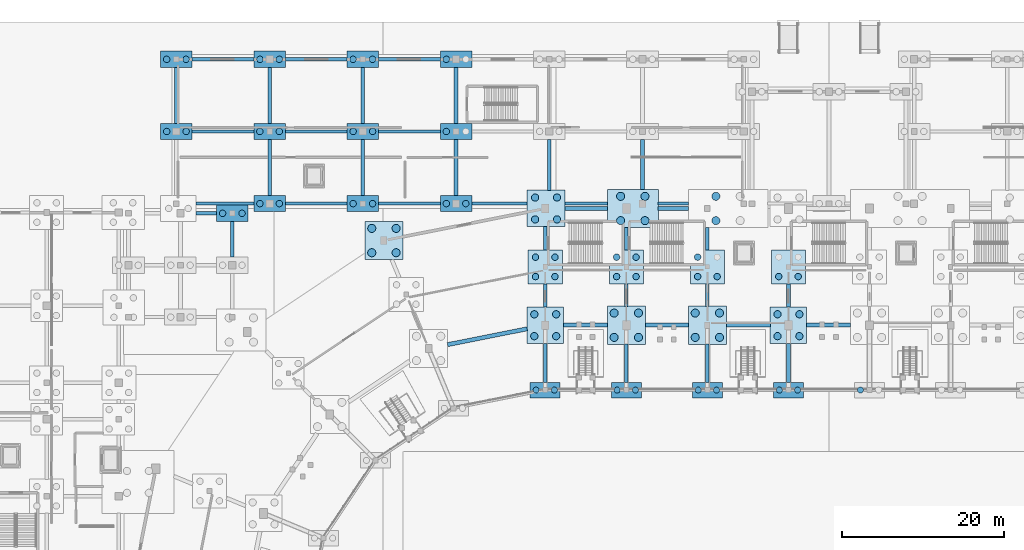
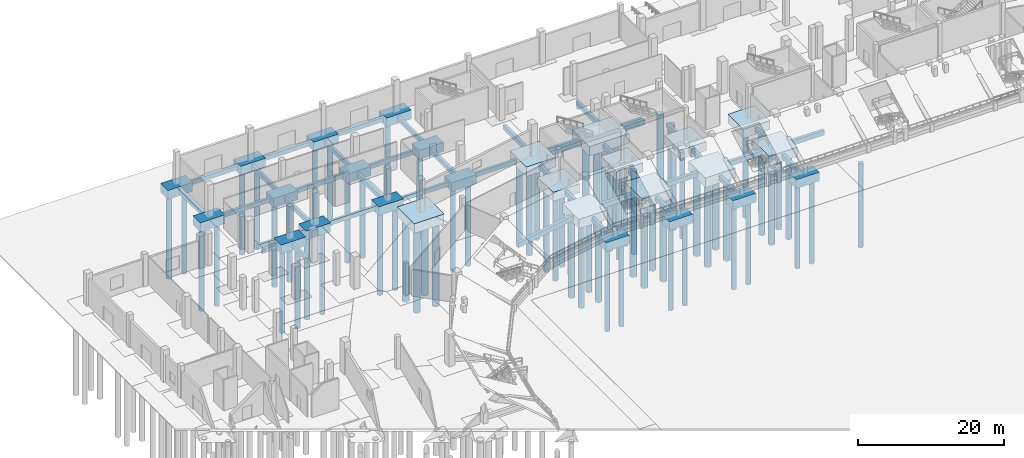
# One storey, part 10 of 68: 74 piles, 68 footings.
"""IFC4 building model written with IfcOpenShell, lengths in metres."""

from ifc_helpers import new_model, si_unit, direction, frame, origin, origin_2d, place, context, subcontext, project, spatial, rectangle, circle, extrude, material, material_profile, profile_set, type_object, element, save


model = new_model("IFC4")

# Units and contexts
model_context = context("Model", 3, precision=1e-05, world=origin(), true_north=direction((0.0, 1.0)))
body_context = subcontext(model_context, "Body", "Model", "MODEL_VIEW")
ifc_project = project(units=[si_unit("LENGTHUNIT", "METRE"), si_unit("AREAUNIT", "SQUARE_METRE"), si_unit("VOLUMEUNIT", "CUBIC_METRE"), si_unit("PLANEANGLEUNIT", "RADIAN"), si_unit("MASSUNIT", "GRAM", prefix="KILO")], contexts=[model_context])

# Site, building, storey
site_placement = place(None, origin())
site = spatial("IfcSite", under=ifc_project, at=site_placement, CompositionType="ELEMENT")
building_placement = place(site_placement, origin())
building = spatial("IfcBuilding", under=site, at=building_placement, Name="Candeia Ridge Stadium", CompositionType="ELEMENT")
storey_placement = place(building_placement, origin())
storey = spatial("IfcBuildingStorey", under=building, at=storey_placement, Name="L00", CompositionType="ELEMENT", Elevation=0.0)

# Piles
ifc_material = material(Name="Concrete C40/50", Category="concrete")
ifc_material_profile_1 = material_profile(ifc_material, circle(Radius=0.5, at=origin_2d()), Name="PILE-D1000", Category="concrete")
ifc_profile_set_1 = profile_set([ifc_material_profile_1], Name="Concrete C40/50")
pile_type_1 = type_object("IfcPileType", Name="Bored Concrete Pile D1000", PredefinedType="BORED", material=ifc_profile_set_1)
for number, where, z_axis, x_axis, name in (
    (1, (89.5, 131.10009765625, -1.39990234375), (0.0, 0.0, -1.0), (1.0, 0.0, 0.0), "Bored concrete foundation pile PILE-0069"),
    (2, (92.5, 131.10009765625, -1.39990234375), (0.0, 0.0, -1.0), (1.0, 0.0, 0.0), "Bored concrete foundation pile PILE-0070"),
    (3, (89.5, 134.10009765625, -1.39990234375), (0.0, 0.0, -1.0), (1.0, 0.0, 0.0), "Bored concrete foundation pile PILE-0071"),
    (4, (92.5, 134.10009765625, -1.39990234375), (0.0, 0.0, -1.0), (1.0, 0.0, 0.0), "Bored concrete foundation pile PILE-0072"),
    (5, (92.050048828125, 145.5, -1.39990234375), (0.0, 0.0, -1.0), (1.0, 0.0, 0.0), "Bored concrete foundation pile PILE-0077"),
    (6, (92.050048828125, 148.5, -1.39990234375), (0.0, 0.0, -1.0), (1.0, 0.0, 0.0), "Bored concrete foundation pile PILE-0079"),
    (7, (79.5, 131.10009765625, -1.39990234375), (0.0, 0.0, -1.0), (1.0, 0.0, 0.0), "Bored concrete foundation pile PILE-0083"),
    (8, (82.5, 131.10009765625, -1.39990234375), (0.0, 0.0, -1.0), (1.0, 0.0, 0.0), "Bored concrete foundation pile PILE-0084"),
    (9, (79.5, 134.10009765625, -1.39990234375), (0.0, 0.0, -1.0), (1.0, 0.0, 0.0), "Bored concrete foundation pile PILE-0085"),
    (10, (82.5, 134.10009765625, -1.39990234375), (0.0, 0.0, -1.0), (1.0, 0.0, 0.0), "Bored concrete foundation pile PILE-0086"),
    (11, (80.300048828125, 145.5, -1.39990234375), (0.0, 0.0, -1.0), (1.0, 0.0, 0.0), "Bored concrete foundation pile PILE-0091"),
    (12, (83.300048828125, 145.5, -1.39990234375), (0.0, 0.0, -1.0), (1.0, 0.0, 0.0), "Bored concrete foundation pile PILE-0092"),
    (13, (80.300048828125, 148.5, -1.39990234375), (0.0, 0.0, -1.0), (1.0, 0.0, 0.0), "Bored concrete foundation pile PILE-0093"),
    (14, (83.300048828125, 148.5, -1.39990234375), (0.0, 0.0, -1.0), (1.0, 0.0, 0.0), "Bored concrete foundation pile PILE-0094"),
    (15, (49.6005859375, 141.541748046875, -1.39990234375), (0.0, 0.0, -1.0), (1.0, 0.0, 0.0), "Bored concrete foundation pile PILE-0119"),
    (16, (52.6005859375, 141.541748046875, -1.39990234375), (0.0, 0.0, -1.0), (1.0, 0.0, 0.0), "Bored concrete foundation pile PILE-0120"),
    (17, (49.6005859375, 144.541748046875, -1.39990234375), (0.0, 0.0, -1.0), (1.0, 0.0, 0.0), "Bored concrete foundation pile PILE-0121"),
    (18, (52.6005859375, 144.541748046875, -1.39990234375), (0.0, 0.0, -1.0), (1.0, 0.0, 0.0), "Bored concrete foundation pile PILE-0122"),
):
    element("IfcPile", number, at=place(storey_placement, frame(where, z_axis=z_axis, x_axis=x_axis)), inside=storey, type_object=pile_type_1, Name=name, PredefinedType="BORED", context=body_context, shape_type="SweptSolid", body=[
        extrude(circle(Radius=0.5, at=origin_2d()), origin(), (0.0, 0.0, 1.0), 14.0),
    ])
ifc_material_profile_2 = material_profile(ifc_material, circle(Radius=0.375, at=origin_2d()), Name="PILE-D750", Category="concrete")
ifc_profile_set_2 = profile_set([ifc_material_profile_2], Name="Concrete C40/50")
pile_type_2 = type_object("IfcPileType", Name="Bored Concrete Pile D750", PredefinedType="BORED", material=ifc_profile_set_2)
for number, where, z_axis, x_axis, name in (
    (19, (109.875, 124.60009765625, -1.39990234375), (0.0, 0.0, -1.0), (1.0, 0.0, 0.0), "Bored concrete foundation pile PILE-0043"),
    (20, (99.875, 124.60009765625, -1.39990234375), (0.0, 0.0, -1.0), (1.0, 0.0, 0.0), "Bored concrete foundation pile PILE-0053"),
    (21, (102.125, 124.60009765625, -1.39990234375), (0.0, 0.0, -1.0), (1.0, 0.0, 0.0), "Bored concrete foundation pile PILE-0054"),
    (22, (89.875, 124.60009765625, -1.39990234375), (0.0, 0.0, -1.0), (1.0, 0.0, 0.0), "Bored concrete foundation pile PILE-0067"),
    (23, (92.125, 124.60009765625, -1.39990234375), (0.0, 0.0, -1.0), (1.0, 0.0, 0.0), "Bored concrete foundation pile PILE-0068"),
    (24, (79.875, 124.60009765625, -1.39990234375), (0.0, 0.0, -1.0), (1.0, 0.0, 0.0), "Bored concrete foundation pile PILE-0081"),
    (25, (82.125, 124.60009765625, -1.39990234375), (0.0, 0.0, -1.0), (1.0, 0.0, 0.0), "Bored concrete foundation pile PILE-0082"),
    (26, (69.875, 124.60009765625, -1.39990234375), (0.0, 0.0, -1.0), (1.0, 0.0, 0.0), "Bored concrete foundation pile PILE-0095"),
    (27, (72.125, 124.60009765625, -1.39990234375), (0.0, 0.0, -1.0), (1.0, 0.0, 0.0), "Bored concrete foundation pile PILE-0096"),
):
    element("IfcPile", number, at=place(storey_placement, frame(where, z_axis=z_axis, x_axis=x_axis)), inside=storey, type_object=pile_type_2, Name=name, PredefinedType="BORED", context=body_context, shape_type="SweptSolid", body=[
        extrude(circle(Radius=0.375, at=origin_2d()), origin(), (0.0, 0.0, 1.0), 14.0),
    ])
ifc_material_profile_3 = material_profile(ifc_material, circle(Radius=0.39990234375, at=origin_2d()), Name="PILE-D800", Category="concrete")
ifc_profile_set_3 = profile_set([ifc_material_profile_3], Name="Concrete C40/50")
pile_type_3 = type_object("IfcPileType", Name="Bored Concrete Pile D800", PredefinedType="BORED", material=ifc_profile_set_3)
for number, where, z_axis, x_axis, name in (
    (28, (99.800048828125, 138.60009765625, -1.39990234375), (0.0, 0.0, -1.0), (1.0, 0.0, 0.0), "Bored concrete foundation pile PILE-0059"),
    (29, (102.199951171875, 138.60009765625, -1.39990234375), (0.0, 0.0, -1.0), (1.0, 0.0, 0.0), "Bored concrete foundation pile PILE-0060"),
    (30, (89.800048828125, 138.60009765625, -1.39990234375), (0.0, 0.0, -1.0), (1.0, 0.0, 0.0), "Bored concrete foundation pile PILE-0073"),
    (31, (92.199951171875, 138.60009765625, -1.39990234375), (0.0, 0.0, -1.0), (1.0, 0.0, 0.0), "Bored concrete foundation pile PILE-0074"),
    (32, (89.800048828125, 141.0, -1.39990234375), (0.0, 0.0, -1.0), (1.0, 0.0, 0.0), "Bored concrete foundation pile PILE-0075"),
    (33, (79.800048828125, 138.60009765625, -1.39990234375), (0.0, 0.0, -1.0), (1.0, 0.0, 0.0), "Bored concrete foundation pile PILE-0087"),
    (34, (82.199951171875, 138.60009765625, -1.39990234375), (0.0, 0.0, -1.0), (1.0, 0.0, 0.0), "Bored concrete foundation pile PILE-0088"),
    (35, (79.800048828125, 141.0, -1.39990234375), (0.0, 0.0, -1.0), (1.0, 0.0, 0.0), "Bored concrete foundation pile PILE-0089"),
    (36, (82.199951171875, 141.0, -1.39990234375), (0.0, 0.0, -1.0), (1.0, 0.0, 0.0), "Bored concrete foundation pile PILE-0090"),
    (37, (69.800048828125, 138.60009765625, -1.39990234375), (0.0, 0.0, -1.0), (1.0, 0.0, 0.0), "Bored concrete foundation pile PILE-0101"),
    (38, (72.199951171875, 138.60009765625, -1.39990234375), (0.0, 0.0, -1.0), (1.0, 0.0, 0.0), "Bored concrete foundation pile PILE-0102"),
    (39, (69.800048828125, 141.0, -1.39990234375), (0.0, 0.0, -1.0), (1.0, 0.0, 0.0), "Bored concrete foundation pile PILE-0103"),
    (40, (72.199951171875, 141.0, -1.39990234375), (0.0, 0.0, -1.0), (1.0, 0.0, 0.0), "Bored concrete foundation pile PILE-0104"),
    (41, (24.300048828125, 156.5, -1.39990234375), (0.0, 0.0, -1.0), (1.0, 0.0, 0.0), "Bored concrete foundation pile PILE-0811"),
    (42, (26.699951171875, 156.5, -1.39990234375), (0.0, 0.0, -1.0), (1.0, 0.0, 0.0), "Bored concrete foundation pile PILE-0812"),
    (43, (24.300048828125, 165.39990234375, -1.39990234375), (0.0, 0.0, -1.0), (1.0, 0.0, 0.0), "Bored concrete foundation pile PILE-0813"),
    (44, (26.699951171875, 165.39990234375, -1.39990234375), (0.0, 0.0, -1.0), (1.0, 0.0, 0.0), "Bored concrete foundation pile PILE-0814"),
    (45, (35.800048828125, 147.60009765625, -1.39990234375), (0.0, 0.0, -1.0), (1.0, 0.0, 0.0), "Bored concrete foundation pile PILE-0815"),
    (46, (38.199951171875, 147.60009765625, -1.39990234375), (0.0, 0.0, -1.0), (1.0, 0.0, 0.0), "Bored concrete foundation pile PILE-0816"),
    (47, (35.800048828125, 156.5, -1.39990234375), (0.0, 0.0, -1.0), (1.0, 0.0, 0.0), "Bored concrete foundation pile PILE-0817"),
    (48, (38.199951171875, 156.5, -1.39990234375), (0.0, 0.0, -1.0), (1.0, 0.0, 0.0), "Bored concrete foundation pile PILE-0818"),
    (49, (35.800048828125, 165.39990234375, -1.39990234375), (0.0, 0.0, -1.0), (1.0, 0.0, 0.0), "Bored concrete foundation pile PILE-0819"),
    (50, (38.199951171875, 165.39990234375, -1.39990234375), (0.0, 0.0, -1.0), (1.0, 0.0, 0.0), "Bored concrete foundation pile PILE-0820"),
    (51, (47.300048828125, 147.60009765625, -1.39990234375), (0.0, 0.0, -1.0), (1.0, 0.0, 0.0), "Bored concrete foundation pile PILE-0821"),
    (52, (49.699951171875, 147.60009765625, -1.39990234375), (0.0, 0.0, -1.0), (1.0, 0.0, 0.0), "Bored concrete foundation pile PILE-0822"),
    (53, (47.300048828125, 156.5, -1.39990234375), (0.0, 0.0, -1.0), (1.0, 0.0, 0.0), "Bored concrete foundation pile PILE-0823"),
    (54, (49.699951171875, 156.5, -1.39990234375), (0.0, 0.0, -1.0), (1.0, 0.0, 0.0), "Bored concrete foundation pile PILE-0824"),
    (55, (47.300048828125, 165.39990234375, -1.39990234375), (0.0, 0.0, -1.0), (1.0, 0.0, 0.0), "Bored concrete foundation pile PILE-0825"),
    (56, (49.699951171875, 165.39990234375, -1.39990234375), (0.0, 0.0, -1.0), (1.0, 0.0, 0.0), "Bored concrete foundation pile PILE-0826"),
    (57, (58.800048828125, 147.60009765625, -1.39990234375), (0.0, 0.0, -1.0), (1.0, 0.0, 0.0), "Bored concrete foundation pile PILE-0827"),
    (58, (61.199951171875, 147.60009765625, -1.39990234375), (0.0, 0.0, -1.0), (1.0, 0.0, 0.0), "Bored concrete foundation pile PILE-0828"),
    (59, (58.800048828125, 156.5, -1.39990234375), (0.0, 0.0, -1.0), (1.0, 0.0, 0.0), "Bored concrete foundation pile PILE-0829"),
    (60, (58.800048828125, 165.39990234375, -1.39990234375), (0.0, 0.0, -1.0), (1.0, 0.0, 0.0), "Bored concrete foundation pile PILE-0831"),
    (61, (31.199951171875, 146.39990234375, -1.39990234375), (0.0, 0.0, -1.0), (1.0, 0.0, 0.0), "Bored concrete foundation pile PILE-0897"),
    (62, (33.60009765625, 146.39990234375, -1.39990234375), (0.0, 0.0, -1.0), (1.0, 0.0, 0.0), "Bored concrete foundation pile PILE-0898"),
):
    element("IfcPile", number, at=place(storey_placement, frame(where, z_axis=z_axis, x_axis=x_axis)), inside=storey, type_object=pile_type_3, Name=name, PredefinedType="BORED", context=body_context, shape_type="SweptSolid", body=[
        extrude(circle(Radius=0.39990234375, at=origin_2d()), origin(), (0.0, 0.0, 1.0), 14.0),
    ])
ifc_material_profile_4 = material_profile(ifc_material, circle(Radius=0.449951171875, at=origin_2d()), Name="PILE-D900", Category="concrete")
ifc_profile_set_4 = profile_set([ifc_material_profile_4], Name="Concrete C40/50")
pile_type_4 = type_object("IfcPileType", Name="Bored Concrete Pile D900", PredefinedType="BORED", material=ifc_profile_set_4)
for number, where, z_axis, x_axis, name in (
    (63, (99.64990234375, 131.25, -1.39990234375), (0.0, 0.0, -1.0), (1.0, 0.0, 0.0), "Bored concrete foundation pile PILE-0055"),
    (64, (102.35009765625, 131.25, -1.39990234375), (0.0, 0.0, -1.0), (1.0, 0.0, 0.0), "Bored concrete foundation pile PILE-0056"),
    (65, (99.64990234375, 133.949951171875, -1.39990234375), (0.0, 0.0, -1.0), (1.0, 0.0, 0.0), "Bored concrete foundation pile PILE-0057"),
    (66, (102.35009765625, 133.949951171875, -1.39990234375), (0.0, 0.0, -1.0), (1.0, 0.0, 0.0), "Bored concrete foundation pile PILE-0058"),
    (67, (69.64990234375, 131.25, -1.39990234375), (0.0, 0.0, -1.0), (1.0, 0.0, 0.0), "Bored concrete foundation pile PILE-0097"),
    (68, (72.35009765625, 131.25, -1.39990234375), (0.0, 0.0, -1.0), (1.0, 0.0, 0.0), "Bored concrete foundation pile PILE-0098"),
    (69, (69.64990234375, 133.949951171875, -1.39990234375), (0.0, 0.0, -1.0), (1.0, 0.0, 0.0), "Bored concrete foundation pile PILE-0099"),
    (70, (72.35009765625, 133.949951171875, -1.39990234375), (0.0, 0.0, -1.0), (1.0, 0.0, 0.0), "Bored concrete foundation pile PILE-0100"),
    (71, (69.75, 145.64990234375, -1.39990234375), (0.0, 0.0, -1.0), (1.0, 0.0, 0.0), "Bored concrete foundation pile PILE-0105"),
    (72, (72.449951171875, 145.64990234375, -1.39990234375), (0.0, 0.0, -1.0), (1.0, 0.0, 0.0), "Bored concrete foundation pile PILE-0106"),
    (73, (69.75, 148.35009765625, -1.39990234375), (0.0, 0.0, -1.0), (1.0, 0.0, 0.0), "Bored concrete foundation pile PILE-0107"),
    (74, (72.449951171875, 148.35009765625, -1.39990234375), (0.0, 0.0, -1.0), (1.0, 0.0, 0.0), "Bored concrete foundation pile PILE-0108"),
):
    element("IfcPile", number, at=place(storey_placement, frame(where, z_axis=z_axis, x_axis=x_axis)), inside=storey, type_object=pile_type_4, Name=name, PredefinedType="BORED", context=body_context, shape_type="SweptSolid", body=[
        extrude(circle(Radius=0.449951171875, at=origin_2d()), origin(), (0.0, 0.0, 1.0), 14.0),
    ])

# Footings
footing_type_1 = type_object("IfcFootingType", Name="Ground Tie Beam 400x700", PredefinedType="FOOTING_BEAM", material=ifc_material)
footing_1_placement = place(storey_placement, frame((31.5, 147.60009765625, -1.0498046875), z_axis=(0.0, 0.0, 1.0), x_axis=(1.0, 0.0, 0.0)))
element("IfcFooting", 75, at=footing_1_placement, inside=storey, type_object=footing_type_1, Name="Ground tie beam GTB-0367", PredefinedType="FOOTING_BEAM", context=body_context, shape_type="SweptSolid", body=[
    extrude(rectangle(XDim=7.1201171875, YDim=0.39990234375, at=origin_2d()), origin(), (0.0, 0.0, 1.0), 0.699951171875),
])
for number, where, z_axis, x_axis, name in (
    (76, (31.25, 156.5, -1.0498046875), (0.0, 0.0, 1.0), (1.0, 0.0, 0.0), "Ground tie beam GTB-0369"),
    (77, (31.25, 165.39990234375, -1.0498046875), (0.0, 0.0, 1.0), (1.0, 0.0, 0.0), "Ground tie beam GTB-0370"),
    (78, (42.75, 147.60009765625, -1.0498046875), (0.0, 0.0, 1.0), (1.0, 0.0, 0.0), "Ground tie beam GTB-0372"),
    (79, (42.75, 156.5, -1.0498046875), (0.0, 0.0, 1.0), (1.0, 0.0, 0.0), "Ground tie beam GTB-0374"),
    (80, (42.75, 165.39990234375, -1.0498046875), (0.0, 0.0, 1.0), (1.0, 0.0, 0.0), "Ground tie beam GTB-0375"),
    (81, (54.25, 147.60009765625, -1.0498046875), (0.0, 0.0, 1.0), (1.0, 0.0, 0.0), "Ground tie beam GTB-0377"),
    (82, (54.25, 156.5, -1.0498046875), (0.0, 0.0, 1.0), (1.0, 0.0, 0.0), "Ground tie beam GTB-0379"),
    (83, (54.25, 165.39990234375, -1.0498046875), (0.0, 0.0, 1.0), (1.0, 0.0, 0.0), "Ground tie beam GTB-0380"),
):
    element("IfcFooting", number, at=place(storey_placement, frame(where, z_axis=z_axis, x_axis=x_axis)), inside=storey, type_object=footing_type_1, Name=name, PredefinedType="FOOTING_BEAM", context=body_context, shape_type="SweptSolid", body=[
        extrude(rectangle(XDim=7.6201171875, YDim=0.39990234375, at=origin_2d()), origin(), (0.0, 0.0, 1.0), 0.699951171875),
    ])
footing_2_placement = place(storey_placement, frame((65.35009765625, 147.60009765625, -1.0498046875), z_axis=(0.0, 0.0, 1.0), x_axis=(1.0, 0.0, 0.0)))
element("IfcFooting", 84, at=footing_2_placement, inside=storey, type_object=footing_type_1, Name="Ground tie beam GTB-0382", PredefinedType="FOOTING_BEAM", context=body_context, shape_type="SweptSolid", body=[
    extrude(rectangle(XDim=6.820068359375, YDim=0.39990234375, at=origin_2d()), origin(), (0.0, 0.0, 1.0), 0.699951171875),
])
footing_3_placement = place(storey_placement, frame((76.050048828125, 147.60009765625, -1.0498046875), z_axis=(0.0, 0.0, 1.0), x_axis=(1.0, 0.0, 0.0)))
element("IfcFooting", 85, at=footing_3_placement, inside=storey, type_object=footing_type_1, Name="Ground tie beam GTB-0387", PredefinedType="FOOTING_BEAM", context=body_context, shape_type="SweptSolid", body=[
    extrude(rectangle(XDim=5.219970703125, YDim=0.39990234375, at=origin_2d()), origin(), (0.0, 0.0, 1.0), 0.699951171875),
])
footing_4_placement = place(storey_placement, frame((86.800048828125, 147.60009765625, -1.0498046875), z_axis=(0.0, 0.0, 1.0), x_axis=(1.0, 0.0, 0.0)))
element("IfcFooting", 86, at=footing_4_placement, inside=storey, type_object=footing_type_1, Name="Ground tie beam GTB-0392", PredefinedType="FOOTING_BEAM", context=body_context, shape_type="SweptSolid", body=[
    extrude(rectangle(XDim=3.719970703125, YDim=0.39990234375, at=origin_2d()), origin(), (0.0, 0.0, 1.0), 0.699951171875),
])
footing_5_placement = place(storey_placement, frame((29.199951171875, 146.39990234375, -1.0498046875), z_axis=(0.0, 0.0, 1.0), x_axis=(1.0, 0.0, 0.0)))
element("IfcFooting", 87, at=footing_5_placement, inside=storey, type_object=footing_type_1, Name="Ground tie beam GTB-0446", PredefinedType="FOOTING_BEAM", context=body_context, shape_type="SweptSolid", body=[
    extrude(rectangle(XDim=2.52001953125, YDim=0.39990234375, at=origin_2d()), origin(), (0.0, 0.0, 1.0), 0.699951171875),
])
footing_type_2 = type_object("IfcFootingType", Name="Ground Tie Beam 450x750", PredefinedType="FOOTING_BEAM", material=ifc_material)
footing_6_placement = place(storey_placement, frame((101.0, 127.949951171875, -1.074951171875), z_axis=(0.0, 0.0, 1.0), x_axis=(0.0, 1.0, 0.0)))
element("IfcFooting", 88, at=footing_6_placement, inside=storey, type_object=footing_type_2, Name="Ground tie beam GTB-0021", PredefinedType="FOOTING_BEAM", context=body_context, shape_type="SweptSolid", body=[
    extrude(rectangle(XDim=4.820068359375, YDim=0.449951171875, at=origin_2d()), origin(), (0.0, 0.0, 1.0), 0.75),
])
footing_7_placement = place(storey_placement, frame((101.0, 136.27490234375, -1.074951171875), z_axis=(0.0, 0.0, 1.0), x_axis=(0.0, 1.0, 0.0)))
element("IfcFooting", 89, at=footing_7_placement, inside=storey, type_object=footing_type_2, Name="Ground tie beam GTB-0022", PredefinedType="FOOTING_BEAM", context=body_context, shape_type="SweptSolid", body=[
    extrude(rectangle(XDim=2.8701171875, YDim=0.449951171875, at=origin_2d()), origin(), (0.0, 0.0, 1.0), 0.75),
])
footing_8_placement = place(storey_placement, frame((91.0, 127.89990234375, -1.074951171875), z_axis=(0.0, 0.0, 1.0), x_axis=(0.0, 1.0, 0.0)))
element("IfcFooting", 90, at=footing_8_placement, inside=storey, type_object=footing_type_2, Name="Ground tie beam GTB-0026", PredefinedType="FOOTING_BEAM", context=body_context, shape_type="SweptSolid", body=[
    extrude(rectangle(XDim=4.719970703125, YDim=0.449951171875, at=origin_2d()), origin(), (0.0, 0.0, 1.0), 0.75),
])
for number, where, z_axis, x_axis, name in (
    (91, (91.0, 136.324951171875, -1.074951171875), (0.0, 0.0, 1.0), (0.0, 1.0, 0.0), "Ground tie beam GTB-0027"),
    (92, (91.0, 143.27490234375, -1.074951171875), (0.0, 0.0, 1.0), (0.0, 1.0, 0.0), "Ground tie beam GTB-0028"),
):
    element("IfcFooting", number, at=place(storey_placement, frame(where, z_axis=z_axis, x_axis=x_axis)), inside=storey, type_object=footing_type_2, Name=name, PredefinedType="FOOTING_BEAM", context=body_context, shape_type="SweptSolid", body=[
        extrude(rectangle(XDim=2.77001953125, YDim=0.449951171875, at=origin_2d()), origin(), (0.0, 0.0, 1.0), 0.75),
    ])
footing_9_placement = place(storey_placement, frame((81.0, 127.89990234375, -1.074951171875), z_axis=(0.0, 0.0, 1.0), x_axis=(0.0, 1.0, 0.0)))
element("IfcFooting", 93, at=footing_9_placement, inside=storey, type_object=footing_type_2, Name="Ground tie beam GTB-0031", PredefinedType="FOOTING_BEAM", context=body_context, shape_type="SweptSolid", body=[
    extrude(rectangle(XDim=4.719970703125, YDim=0.449951171875, at=origin_2d()), origin(), (0.0, 0.0, 1.0), 0.75),
])
for number, where, z_axis, x_axis, name in (
    (94, (81.0, 136.324951171875, -1.074951171875), (0.0, 0.0, 1.0), (0.0, 1.0, 0.0), "Ground tie beam GTB-0032"),
    (95, (81.0, 143.27490234375, -1.074951171875), (0.0, 0.0, 1.0), (0.0, 1.0, 0.0), "Ground tie beam GTB-0033"),
):
    element("IfcFooting", number, at=place(storey_placement, frame(where, z_axis=z_axis, x_axis=x_axis)), inside=storey, type_object=footing_type_2, Name=name, PredefinedType="FOOTING_BEAM", context=body_context, shape_type="SweptSolid", body=[
        extrude(rectangle(XDim=2.77001953125, YDim=0.449951171875, at=origin_2d()), origin(), (0.0, 0.0, 1.0), 0.75),
    ])
footing_10_placement = place(storey_placement, frame((71.0, 127.949951171875, -1.074951171875), z_axis=(0.0, 0.0, 1.0), x_axis=(0.0, 1.0, 0.0)))
element("IfcFooting", 96, at=footing_10_placement, inside=storey, type_object=footing_type_2, Name="Ground tie beam GTB-0035", PredefinedType="FOOTING_BEAM", context=body_context, shape_type="SweptSolid", body=[
    extrude(rectangle(XDim=4.820068359375, YDim=0.449951171875, at=origin_2d()), origin(), (0.0, 0.0, 1.0), 0.75),
])
for number, where, z_axis, x_axis, name in (
    (97, (71.0, 136.27490234375, -1.074951171875), (0.0, 0.0, 1.0), (0.0, 1.0, 0.0), "Ground tie beam GTB-0036"),
    (98, (71.0, 143.324951171875, -1.074951171875), (0.0, 0.0, 1.0), (0.0, 1.0, 0.0), "Ground tie beam GTB-0037"),
):
    element("IfcFooting", number, at=place(storey_placement, frame(where, z_axis=z_axis, x_axis=x_axis)), inside=storey, type_object=footing_type_2, Name=name, PredefinedType="FOOTING_BEAM", context=body_context, shape_type="SweptSolid", body=[
        extrude(rectangle(XDim=2.8701171875, YDim=0.449951171875, at=origin_2d()), origin(), (0.0, 0.0, 1.0), 0.75),
    ])
for number, where, z_axis, x_axis, name in (
    (99, (25.5, 160.949951171875, -1.074951171875), (0.0, 0.0, 1.0), (0.0, 1.0, 0.0), "Ground tie beam GTB-0368"),
    (100, (37.0, 152.050048828125, -1.074951171875), (0.0, 0.0, 1.0), (0.0, 1.0, 0.0), "Ground tie beam GTB-0371"),
    (101, (37.0, 160.949951171875, -1.074951171875), (0.0, 0.0, 1.0), (0.0, 1.0, 0.0), "Ground tie beam GTB-0373"),
    (102, (48.5, 152.050048828125, -1.074951171875), (0.0, 0.0, 1.0), (0.0, 1.0, 0.0), "Ground tie beam GTB-0376"),
    (103, (48.5, 160.949951171875, -1.074951171875), (0.0, 0.0, 1.0), (0.0, 1.0, 0.0), "Ground tie beam GTB-0378"),
    (104, (60.0, 152.050048828125, -1.074951171875), (0.0, 0.0, 1.0), (0.0, 1.0, 0.0), "Ground tie beam GTB-0381"),
    (105, (60.0, 160.949951171875, -1.074951171875), (0.0, 0.0, 1.0), (0.0, 1.0, 0.0), "Ground tie beam GTB-0383"),
):
    element("IfcFooting", number, at=place(storey_placement, frame(where, z_axis=z_axis, x_axis=x_axis)), inside=storey, type_object=footing_type_2, Name=name, PredefinedType="FOOTING_BEAM", context=body_context, shape_type="SweptSolid", body=[
        extrude(rectangle(XDim=6.919921875, YDim=0.449951171875, at=origin_2d()), origin(), (0.0, 0.0, 1.0), 0.75),
    ])
footing_11_placement = place(storey_placement, frame((71.5, 152.375, -1.074951171875), z_axis=(0.0, 0.0, 1.0), x_axis=(0.0, 1.0, 0.0)))
element("IfcFooting", 106, at=footing_11_placement, inside=storey, type_object=footing_type_2, Name="Ground tie beam GTB-0386", PredefinedType="FOOTING_BEAM", context=body_context, shape_type="SweptSolid", body=[
    extrude(rectangle(XDim=6.27001953125, YDim=0.449951171875, at=origin_2d()), origin(), (0.0, 0.0, 1.0), 0.75),
])
footing_12_placement = place(storey_placement, frame((83.0, 152.425048828125, -1.074951171875), z_axis=(0.0, 0.0, 1.0), x_axis=(0.0, 1.0, 0.0)))
element("IfcFooting", 107, at=footing_12_placement, inside=storey, type_object=footing_type_2, Name="Ground tie beam GTB-0391", PredefinedType="FOOTING_BEAM", context=body_context, shape_type="SweptSolid", body=[
    extrude(rectangle(XDim=6.169921875, YDim=0.449951171875, at=origin_2d()), origin(), (0.0, 0.0, 1.0), 0.75),
])
footing_13_placement = place(storey_placement, frame((32.39990234375, 143.199951171875, -1.074951171875), z_axis=(0.0, 0.0, 1.0), x_axis=(0.0, 1.0, 0.0)))
element("IfcFooting", 108, at=footing_13_placement, inside=storey, type_object=footing_type_2, Name="Ground tie beam GTB-0448", PredefinedType="FOOTING_BEAM", context=body_context, shape_type="SweptSolid", body=[
    extrude(rectangle(XDim=4.419921875, YDim=0.449951171875, at=origin_2d()), origin(), (0.0, 0.0, 1.0), 0.75),
])
footing_type_3 = type_object("IfcFootingType", Name="Ground Tie Beam 500x800", PredefinedType="FOOTING_BEAM", material=ifc_material)
for number, where, z_axis, x_axis, name in (
    (109, (105.949951171875, 132.60009765625, -1.10009765625), (0.0, 0.0, 1.0), (-1.0, 0.0, 0.0), "Ground tie beam GTB-0015"),
    (110, (96.050048828125, 132.60009765625, -1.10009765625), (0.0, 0.0, 1.0), (-1.0, 0.0, 0.0), "Ground tie beam GTB-0020"),
):
    element("IfcFooting", number, at=place(storey_placement, frame(where, z_axis=z_axis, x_axis=x_axis)), inside=storey, type_object=footing_type_3, Name=name, PredefinedType="FOOTING_BEAM", context=body_context, shape_type="SweptSolid", body=[
        extrude(rectangle(XDim=5.419921875, YDim=0.5, at=origin_2d()), origin(), (0.0, 0.0, 1.0), 0.800048828125),
    ])
footing_14_placement = place(storey_placement, frame((86.0, 132.60009765625, -1.10009765625), z_axis=(0.0, 0.0, 1.0), x_axis=(-1.0, 0.0, 0.0)))
element("IfcFooting", 111, at=footing_14_placement, inside=storey, type_object=footing_type_3, Name="Ground tie beam GTB-0024", PredefinedType="FOOTING_BEAM", context=body_context, shape_type="SweptSolid", body=[
    extrude(rectangle(XDim=5.320068359375, YDim=0.5, at=origin_2d()), origin(), (0.0, 0.0, 1.0), 0.800048828125),
])
footing_15_placement = place(storey_placement, frame((86.800048828125, 147.0, -1.10009765625), z_axis=(0.0, 0.0, 1.0), x_axis=(-1.0, 0.0, 0.0)))
element("IfcFooting", 112, at=footing_15_placement, inside=storey, type_object=footing_type_3, Name="Ground tie beam GTB-0025", PredefinedType="FOOTING_BEAM", context=body_context, shape_type="SweptSolid", body=[
    extrude(rectangle(XDim=3.719970703125, YDim=0.5, at=origin_2d()), origin(), (0.0, 0.0, 1.0), 0.800048828125),
])
footing_16_placement = place(storey_placement, frame((75.949951171875, 132.60009765625, -1.10009765625), z_axis=(0.0, 0.0, 1.0), x_axis=(-1.0, 0.0, 0.0)))
element("IfcFooting", 113, at=footing_16_placement, inside=storey, type_object=footing_type_3, Name="Ground tie beam GTB-0029", PredefinedType="FOOTING_BEAM", context=body_context, shape_type="SweptSolid", body=[
    extrude(rectangle(XDim=5.419921875, YDim=0.5, at=origin_2d()), origin(), (0.0, 0.0, 1.0), 0.800048828125),
])
footing_17_placement = place(storey_placement, frame((76.050048828125, 147.0, -1.10009765625), z_axis=(0.0, 0.0, 1.0), x_axis=(-1.0, 0.0, 0.0)))
element("IfcFooting", 114, at=footing_17_placement, inside=storey, type_object=footing_type_3, Name="Ground tie beam GTB-0030", PredefinedType="FOOTING_BEAM", context=body_context, shape_type="SweptSolid", body=[
    extrude(rectangle(XDim=5.219970703125, YDim=0.5, at=origin_2d()), origin(), (0.0, 0.0, 1.0), 0.800048828125),
])
footing_18_placement = place(storey_placement, frame((63.85546875, 131.178955078125, -1.10009765625), z_axis=(0.0, 0.0, 1.0), x_axis=(-0.980785891798, -0.195087248302, 0.0)))
element("IfcFooting", 115, at=footing_18_placement, inside=storey, type_object=footing_type_3, Name="Ground tie beam GTB-0034", PredefinedType="FOOTING_BEAM", context=body_context, shape_type="SweptSolid", body=[
    extrude(rectangle(XDim=10.000732421875, YDim=0.5, at=origin_2d()), origin(), (0.0, 0.0, 1.0), 0.800048828125),
])
footing_type_4 = type_object("IfcFootingType", Name="Pile Cap 3700x1900x1450", PredefinedType="PILE_CAP", material=ifc_material)
for number, where, z_axis, x_axis, name in (
    (116, (101.0, 124.60009765625, -1.4501953125), (0.0, 0.0, 1.0), (1.0, 0.0, 0.0), "Reinforced concrete pile cap CAP-016"),
    (117, (91.0, 124.60009765625, -1.4501953125), (0.0, 0.0, 1.0), (1.0, 0.0, 0.0), "Reinforced concrete pile cap CAP-020"),
    (118, (81.0, 124.60009765625, -1.4501953125), (0.0, 0.0, 1.0), (1.0, 0.0, 0.0), "Reinforced concrete pile cap CAP-024"),
    (119, (71.0, 124.60009765625, -1.4501953125), (0.0, 0.0, 1.0), (1.0, 0.0, 0.0), "Reinforced concrete pile cap CAP-028"),
):
    element("IfcFooting", number, at=place(storey_placement, frame(where, z_axis=z_axis, x_axis=x_axis)), inside=storey, type_object=footing_type_4, Name=name, PredefinedType="PILE_CAP", context=body_context, shape_type="SweptSolid", body=[
        extrude(rectangle(XDim=3.699951171875, YDim=1.89990234375, at=origin_2d()), origin(), (0.0, 0.0, 1.0), 1.449951171875),
    ])
footing_type_5 = type_object("IfcFootingType", Name="Pile Cap 3900x2000x1500", PredefinedType="PILE_CAP", material=ifc_material)
for number, where, z_axis, x_axis, name in (
    (120, (25.5, 156.5, -1.5), (0.0, 0.0, 1.0), (1.0, 0.0, 0.0), "Reinforced concrete pile cap CAP-261"),
    (121, (25.5, 165.39990234375, -1.5), (0.0, 0.0, 1.0), (1.0, 0.0, 0.0), "Reinforced concrete pile cap CAP-262"),
    (122, (37.0, 147.60009765625, -1.5), (0.0, 0.0, 1.0), (1.0, 0.0, 0.0), "Reinforced concrete pile cap CAP-263"),
    (123, (37.0, 156.5, -1.5), (0.0, 0.0, 1.0), (1.0, 0.0, 0.0), "Reinforced concrete pile cap CAP-264"),
    (124, (37.0, 165.39990234375, -1.5), (0.0, 0.0, 1.0), (1.0, 0.0, 0.0), "Reinforced concrete pile cap CAP-265"),
    (125, (48.5, 147.60009765625, -1.5), (0.0, 0.0, 1.0), (1.0, 0.0, 0.0), "Reinforced concrete pile cap CAP-266"),
    (126, (48.5, 156.5, -1.5), (0.0, 0.0, 1.0), (1.0, 0.0, 0.0), "Reinforced concrete pile cap CAP-267"),
    (127, (48.5, 165.39990234375, -1.5), (0.0, 0.0, 1.0), (1.0, 0.0, 0.0), "Reinforced concrete pile cap CAP-268"),
    (128, (60.0, 147.60009765625, -1.5), (0.0, 0.0, 1.0), (1.0, 0.0, 0.0), "Reinforced concrete pile cap CAP-269"),
    (129, (60.0, 156.5, -1.5), (0.0, 0.0, 1.0), (1.0, 0.0, 0.0), "Reinforced concrete pile cap CAP-270"),
    (130, (60.0, 165.39990234375, -1.5), (0.0, 0.0, 1.0), (1.0, 0.0, 0.0), "Reinforced concrete pile cap CAP-271"),
    (131, (32.39990234375, 146.39990234375, -1.5), (0.0, 0.0, 1.0), (1.0, 0.0, 0.0), "Reinforced concrete pile cap CAP-304"),
):
    element("IfcFooting", number, at=place(storey_placement, frame(where, z_axis=z_axis, x_axis=x_axis)), inside=storey, type_object=footing_type_5, Name=name, PredefinedType="PILE_CAP", context=body_context, shape_type="SweptSolid", body=[
        extrude(rectangle(XDim=3.89990234375, YDim=2.0, at=origin_2d()), origin(), (0.0, 0.0, 1.0), 1.5),
    ])
footing_type_6 = type_object("IfcFootingType", Name="Pile Cap 4200x4200x1500", PredefinedType="PILE_CAP", material=ifc_material)
for number, where, z_axis, x_axis, name in (
    (132, (101.0, 139.800048828125, -1.5), (0.0, 0.0, 1.0), (1.0, 0.0, 0.0), "Reinforced concrete pile cap CAP-018"),
    (133, (91.0, 139.800048828125, -1.5), (0.0, 0.0, 1.0), (1.0, 0.0, 0.0), "Reinforced concrete pile cap CAP-022"),
    (134, (81.0, 139.800048828125, -1.5), (0.0, 0.0, 1.0), (1.0, 0.0, 0.0), "Reinforced concrete pile cap CAP-026"),
    (135, (71.0, 139.800048828125, -1.5), (0.0, 0.0, 1.0), (1.0, 0.0, 0.0), "Reinforced concrete pile cap CAP-030"),
):
    element("IfcFooting", number, at=place(storey_placement, frame(where, z_axis=z_axis, x_axis=x_axis)), inside=storey, type_object=footing_type_6, Name=name, PredefinedType="PILE_CAP", context=body_context, shape_type="SweptSolid", body=[
        extrude(rectangle(XDim=4.199951171875, YDim=4.199951171875, at=origin_2d()), origin(), (0.0, 0.0, 1.0), 1.5),
    ])
footing_type_7 = type_object("IfcFootingType", Name="Pile Cap 4500x4500x1550", PredefinedType="PILE_CAP", material=ifc_material)
for number, where, z_axis, x_axis, name in (
    (136, (101.0, 132.60009765625, -1.5498046875), (0.0, 0.0, 1.0), (1.0, 0.0, 0.0), "Reinforced concrete pile cap CAP-017"),
    (137, (71.0, 132.60009765625, -1.5498046875), (0.0, 0.0, 1.0), (1.0, 0.0, 0.0), "Reinforced concrete pile cap CAP-029"),
):
    element("IfcFooting", number, at=place(storey_placement, frame(where, z_axis=z_axis, x_axis=x_axis)), inside=storey, type_object=footing_type_7, Name=name, PredefinedType="PILE_CAP", context=body_context, shape_type="SweptSolid", body=[
        extrude(rectangle(XDim=4.5, YDim=4.5, at=origin_2d()), origin(), (0.0, 0.0, 1.0), 1.550048828125),
    ])
footing_type_8 = type_object("IfcFootingType", Name="Pile Cap 4700x4700x1600", PredefinedType="PILE_CAP", material=ifc_material)
for number, where, z_axis, x_axis, name in (
    (138, (91.0, 132.60009765625, -1.60009765625), (0.0, 0.0, 1.0), (1.0, 0.0, 0.0), "Reinforced concrete pile cap CAP-021"),
    (139, (81.0, 132.60009765625, -1.60009765625), (0.0, 0.0, 1.0), (1.0, 0.0, 0.0), "Reinforced concrete pile cap CAP-025"),
    (140, (51.100341796875, 143.041748046875, -1.60009765625), (0.0, 0.0, 1.0), (1.0, 0.0, 0.0), "Reinforced concrete pile cap CAP-035"),
):
    element("IfcFooting", number, at=place(storey_placement, frame(where, z_axis=z_axis, x_axis=x_axis)), inside=storey, type_object=footing_type_8, Name=name, PredefinedType="PILE_CAP", context=body_context, shape_type="SweptSolid", body=[
        extrude(rectangle(XDim=4.699951171875, YDim=4.699951171875, at=origin_2d()), origin(), (0.0, 0.0, 1.0), 1.60009765625),
    ])
footing_type_9 = type_object("IfcFootingType", Name="Pile Cap 5400x4200x1600", PredefinedType="PILE_CAP", material=ifc_material)
footing_19_placement = place(storey_placement, frame((71.10009765625, 147.0, -1.60009765625), z_axis=(0.0, 0.0, 1.0), x_axis=(1.0, 0.0, 0.0)))
element("IfcFooting", 141, at=footing_19_placement, inside=storey, type_object=footing_type_9, Name="Reinforced concrete pile cap CAP-031", PredefinedType="PILE_CAP", context=body_context, shape_type="SweptSolid", body=[
    extrude(rectangle(XDim=4.699951171875, YDim=4.5, at=origin_2d()), origin(), (0.0, 0.0, 1.0), 1.60009765625),
])
footing_type_10 = type_object("IfcFootingType", Name="Pile Cap 6200x4400x1600", PredefinedType="PILE_CAP", material=ifc_material)
footing_20_placement = place(storey_placement, frame((81.800048828125, 147.0, -1.60009765625), z_axis=(0.0, 0.0, 1.0), x_axis=(1.0, 0.0, 0.0)))
element("IfcFooting", 142, at=footing_20_placement, inside=storey, type_object=footing_type_10, Name="Reinforced concrete pile cap CAP-027", PredefinedType="PILE_CAP", context=body_context, shape_type="SweptSolid", body=[
    extrude(rectangle(XDim=6.300048828125, YDim=4.699951171875, at=origin_2d()), origin(), (0.0, 0.0, 1.0), 1.60009765625),
])

save(model, "model.ifc")
